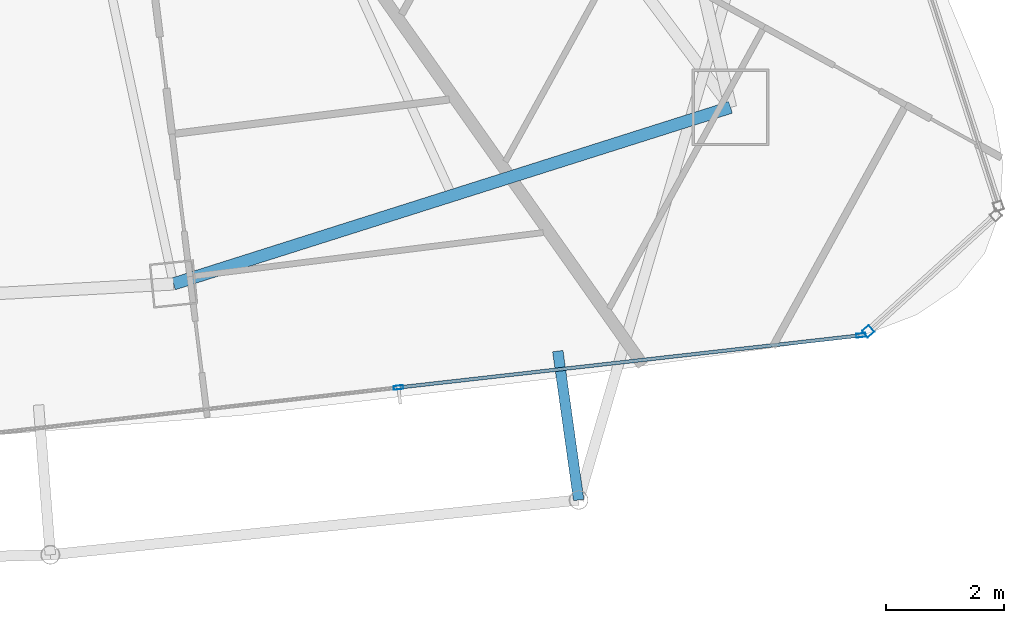
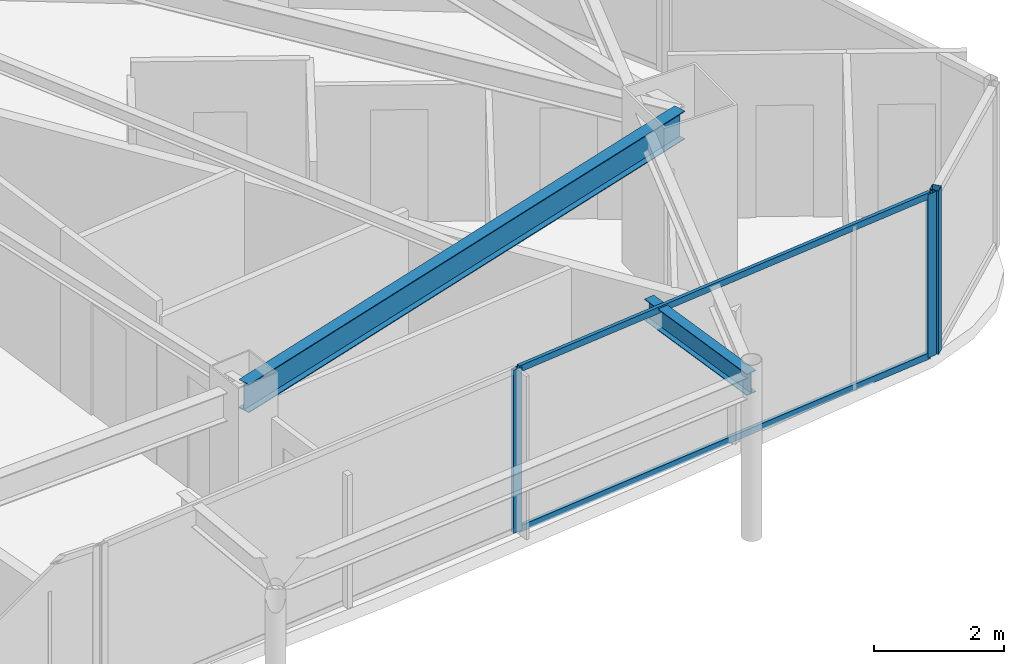
# One storey, part 15 of 33: 5 members, 2 beams, 2 elements without a shape of their own.
"""IFC4 building model written with IfcOpenShell, lengths in metres."""

import ifcopenshell
import ifcopenshell.guid

model = None  # the IFC model being written
_history = None  # IfcOwnerHistory: only IFC2X3 demands one
_inside = {}  # id of a spatial element -> (the spatial element, [elements in it])
_under = {}  # id of a project, library or spatial element -> (it, [spatial elements below it])
_declared = {}  # id of a project -> (the project, [libraries it declares])
_typed = {}  # id of a type object -> (the type object, [elements of that type])
_made_of = {}  # id of a material, layer set ... -> (it, [elements and type objects made of it])


def new_model(schema):
    """Start an empty IFC model of exactly this schema.

    Asked for "IFC4X3", IfcOpenShell would pick the latest addendum, in which some entities
    have other attributes; the version numbers below select the first issue.
    IFC2X3 requires an IfcOwnerHistory on every rooted entity: one is made here for all.
    """
    global model, _history
    if schema == "IFC4X3":
        model = ifcopenshell.file(schema_version=(4, 3, 0, 0))
    else:
        model = ifcopenshell.file(schema=schema)
    _inside.clear()
    _under.clear()
    _declared.clear()
    _typed.clear()
    _made_of.clear()
    _history = None
    if model.schema == "IFC2X3":
        org = make("IfcOrganization", Name="unknown")
        user = make(
            "IfcPersonAndOrganization",
            ThePerson=make("IfcPerson", FamilyName="unknown"),
            TheOrganization=org,
        )
        app = make(
            "IfcApplication",
            ApplicationDeveloper=org,
            Version="unknown",
            ApplicationFullName="unknown",
            ApplicationIdentifier="unknown",
        )
        _history = make(
            "IfcOwnerHistory",
            OwningUser=user,
            OwningApplication=app,
            ChangeAction="ADDED",
            CreationDate=0,
        )
    return model


def make(cls, **values):
    """One entity of the class cls with the attributes given. An attribute that is None is left unset."""
    return model.create_entity(
        cls, **{name: value for name, value in values.items() if value is not None}
    )


def rooted(cls, **values):
    """An entity with a GlobalId (a new one), such as an element, a storey or a relation."""
    return make(cls, GlobalId=ifcopenshell.guid.new(), OwnerHistory=_history, **values)


def si_unit(unit_type, name, prefix=None):
    """IfcSIUnit, for example si_unit("LENGTHUNIT", "METRE", prefix="MILLI")."""
    return make("IfcSIUnit", UnitType=unit_type, Prefix=prefix, Name=name)


def assignment(units):
    """IfcUnitAssignment: the units of a project."""
    return None if units is None else make("IfcUnitAssignment", Units=units)


def point(xyz):
    """IfcCartesianPoint."""
    return None if xyz is None else make("IfcCartesianPoint", Coordinates=xyz)


def direction(xyz):
    """IfcDirection."""
    return None if xyz is None else make("IfcDirection", DirectionRatios=xyz)


def frame(location, z_axis=None, x_axis=None):
    """IfcAxis2Placement3D, a coordinate frame: its origin and axes. An axis left out is left unset."""
    return make(
        "IfcAxis2Placement3D",
        Location=point(location),
        Axis=direction(z_axis),
        RefDirection=direction(x_axis),
    )


def frame_2d(location, x_axis=None):
    """IfcAxis2Placement2D, a coordinate frame in the plane: its origin and x axis."""
    return make(
        "IfcAxis2Placement2D", Location=point(location), RefDirection=direction(x_axis)
    )


def origin():
    """The frame at (0, 0, 0) with its axes left unset."""
    return frame((0.0, 0.0, 0.0))


def origin_2d():
    """The frame at (0, 0) in the plane with its x axis left unset."""
    return frame_2d((0.0, 0.0))


def place(relative_to, where):
    """IfcLocalPlacement: puts the frame where relative to a parent placement (None: the world)."""
    return make(
        "IfcLocalPlacement", PlacementRelTo=relative_to, RelativePlacement=where
    )


def context(
    kind, dimensions, precision=None, world=None, true_north=None, identifier=None
):
    """IfcGeometricRepresentationContext, for example the 3D "Model" context."""
    return make(
        "IfcGeometricRepresentationContext",
        ContextIdentifier=identifier,
        ContextType=kind,
        CoordinateSpaceDimension=dimensions,
        Precision=precision,
        WorldCoordinateSystem=world,
        TrueNorth=true_north,
    )


def subcontext(parent, identifier, kind, view, scale=None):
    """IfcGeometricRepresentationSubContext, for example "Body" below "Model"."""
    return make(
        "IfcGeometricRepresentationSubContext",
        ContextIdentifier=identifier,
        ContextType=kind,
        ParentContext=parent,
        TargetScale=scale,
        TargetView=view,
    )


def project(units=None, contexts=None):
    """IfcProject with its units and contexts."""
    return rooted(
        "IfcProject",
        Name="project",
        RepresentationContexts=contexts,
        UnitsInContext=assignment(units),
    )


def spatial(cls, under=None, at=None, **own):
    """A site, building, storey or space (cls), placed at a placement, below another one or the project."""
    s = rooted(cls, ObjectPlacement=at, **own)
    if under is not None:
        _under.setdefault(under.id(), (under, []))[1].append(s)
    return s


def profile(cls, at=None, kind="AREA", **sizes):
    """A parametric profile (cls). Its sizes go by their IFC names, for example OverallWidth=200.0."""
    return make(cls, ProfileType=kind, Position=at, **sizes)


def hollow_rectangle(**sizes):
    """IfcRectangleHollowProfileDef."""
    return profile("IfcRectangleHollowProfileDef", **sizes)


def i_section(**sizes):
    """IfcIShapeProfileDef."""
    return profile("IfcIShapeProfileDef", **sizes)


def extrude(swept, where, along, depth):
    """IfcExtrudedAreaSolid: the profile swept, set in the frame where, extruded along a direction by depth."""
    return make(
        "IfcExtrudedAreaSolid",
        SweptArea=swept,
        Position=where,
        ExtrudedDirection=direction(along),
        Depth=depth,
    )


def shape(context_of_items, identifier, shape_type, items):
    """IfcShapeRepresentation: the items that make up one representation, for example the "Body"."""
    return make(
        "IfcShapeRepresentation",
        ContextOfItems=context_of_items,
        RepresentationIdentifier=identifier,
        RepresentationType=shape_type,
        Items=items,
    )


def material(Name=None, Category=None):
    """IfcMaterial."""
    return make("IfcMaterial", Name=Name, Category=Category)


def layer(
    of_material, thickness, ventilated=None, Name=None, Category=None, Priority=None
):
    """IfcMaterialLayer: one layer of a wall or slab, of a material (None: an air gap)."""
    return make(
        "IfcMaterialLayer",
        Material=of_material,
        LayerThickness=thickness,
        IsVentilated=ventilated,
        Name=Name,
        Category=Category,
        Priority=Priority,
    )


def layer_set(layers, Name=None):
    """IfcMaterialLayerSet."""
    return make("IfcMaterialLayerSet", MaterialLayers=layers, LayerSetName=Name)


def material_profile(
    of_material, cross_section, Name=None, Category=None, Priority=None
):
    """IfcMaterialProfile: a cross section and its material."""
    return make(
        "IfcMaterialProfile",
        Name=Name,
        Material=of_material,
        Profile=cross_section,
        Priority=Priority,
        Category=Category,
    )


def profile_set(profiles, Name=None, composite=None):
    """IfcMaterialProfileSet."""
    return make(
        "IfcMaterialProfileSet",
        Name=Name,
        MaterialProfiles=profiles,
        CompositeProfile=composite,
    )


def made_of(thing, what):
    """Note that an element or type object is made of a material, layer set ...; save() writes the relation."""
    if what is not None:
        _made_of.setdefault(what.id(), (what, []))[1].append(thing)
    return thing


def type_object(cls, material=None, **own):
    """A type object (cls), such as IfcWallType, which elements share."""
    return made_of(rooted(cls, **own), material)


def element(
    cls,
    number,
    at=None,
    inside=None,
    cuts=None,
    type_object=None,
    material=None,
    context=None,
    identifier="Body",
    shape_type=None,
    held_by="IfcProductDefinitionShape",
    body=None,
    shapes=None,
    **own,
):
    """One element of the class cls, such as IfcWall. Its Tag is "e" and its number.

    at: its placement. inside: the storey or other place that contains it. cuts: it is an
    opening in that element (IfcRelVoidsElement). A single representation is given by context,
    identifier, shape_type and body (its items); several are given by shapes. held_by: the class
    of the entity that holds the representations. save() writes the other relations.
    """
    e = rooted(cls, Tag="e%d" % number, ObjectPlacement=at, **own)
    if body is not None:
        shapes = [shape(context, identifier, shape_type, body)]
    if shapes is not None:
        e.Representation = make(held_by, Representations=shapes)
    if inside is not None:
        _inside.setdefault(inside.id(), (inside, []))[1].append(e)
    if cuts is not None:
        rooted(
            "IfcRelVoidsElement", RelatingBuildingElement=cuts, RelatedOpeningElement=e
        )
    if type_object is not None:
        _typed.setdefault(type_object.id(), (type_object, []))[1].append(e)
    return made_of(e, material)


def aggregate(whole, parts):
    """IfcRelAggregates: a whole, such as a stair, and the parts it consists of."""
    return rooted("IfcRelAggregates", RelatingObject=whole, RelatedObjects=parts)


def save(model, path):
    """Write the relations noted so far, then the file.

    IfcRelAggregates (storeys below a building ...), IfcRelContainedInSpatialStructure (elements
    in a storey), IfcRelDefinesByType, IfcRelAssociatesMaterial and IfcRelDeclares: one each for
    every whole, place, type object, material and project.
    """
    for whole, parts in _under.values():
        aggregate(whole, parts)
    for where, things in _inside.values():
        rooted(
            "IfcRelContainedInSpatialStructure",
            RelatedElements=things,
            RelatingStructure=where,
        )
    for kind, things in _typed.values():
        rooted("IfcRelDefinesByType", RelatedObjects=things, RelatingType=kind)
    for what, things in _made_of.values():
        rooted("IfcRelAssociatesMaterial", RelatedObjects=things, RelatingMaterial=what)
    for by, libraries in _declared.values():
        rooted("IfcRelDeclares", RelatingContext=by, RelatedDefinitions=libraries)
    model.write(path)


model = new_model("IFC4")

# Units and contexts
model_context = context("Model", 3, precision=1e-05, world=origin(), true_north=direction((0.0, 1.0)))
body_context = subcontext(model_context, "Body", "Model", "MODEL_VIEW")
ifc_project = project(units=[si_unit("LENGTHUNIT", "METRE"), si_unit("AREAUNIT", "SQUARE_METRE"), si_unit("VOLUMEUNIT", "CUBIC_METRE"), si_unit("PLANEANGLEUNIT", "RADIAN"), si_unit("MASSUNIT", "GRAM", prefix="KILO")], contexts=[model_context])

# Site, building, storey
site_placement = place(None, origin())
site = spatial("IfcSite", under=ifc_project, at=site_placement, CompositionType="ELEMENT")
building_placement = place(site_placement, origin())
building = spatial("IfcBuilding", under=site, at=building_placement, Name="Orvanel Arch Residences", CompositionType="ELEMENT")
storey_placement = place(building_placement, frame((0.0, 0.0, 209.60009765625)))
storey = spatial("IfcBuildingStorey", under=building, at=storey_placement, Name="L59", CompositionType="ELEMENT", Elevation=209.60009765625)

# Curtain wall, member
ifc_material_1 = material(Name="Bronze-anodised aluminium AA6063-T6", Category="aluminium")
ifc_layer_1 = layer(ifc_material_1, 0.18994140625)
ifc_layer_set_1 = layer_set([ifc_layer_1], Name="Bronze-anodised aluminium AA6063-T6")
curtain_wall_type_1 = type_object("IfcCurtainWallType", Name="CW5-CRN-SYS", PredefinedType="NOTDEFINED", material=ifc_layer_set_1)
curtain_wall_1_placement = place(storey_placement, origin())
curtain_wall_1 = element("IfcCurtainWall", 1, at=curtain_wall_1_placement, inside=storey, type_object=curtain_wall_type_1, Name="L59 CW5-CRN-SYS Unitised Curtain Wall", PredefinedType="NOTDEFINED")
ifc_material_profile_1 = material_profile(ifc_material_1, hollow_rectangle(XDim=0.14990234375, YDim=0.14990234375, WallThickness=0.0048828125, at=origin_2d()), Name="ALU150x150x5")
ifc_profile_set_1 = profile_set([ifc_material_profile_1], Name="Bronze-anodised aluminium AA6063-T6")
member_type_1 = type_object("IfcMemberType", Name="MUL-150x150", PredefinedType="MULLION", material=ifc_profile_set_1)
member_1_placement = place(storey_placement, frame((54.138427734375, 6.551513671875, 0.0), z_axis=(0.0, 0.0, 1.0), x_axis=(-0.672511070676, 0.740087062323, 0.0)))
member_1 = element("IfcMember", 2, at=member_1_placement, type_object=member_type_1, Name="CW-S5 mullion 1", PredefinedType="MULLION", context=body_context, shape_type="SweptSolid", body=[
    extrude(hollow_rectangle(XDim=0.14990234375, YDim=0.14990234375, WallThickness=0.0048828125, at=origin_2d()), origin(), (0.0, 0.0, 1.0), 3.059814453125),
])
aggregate(curtain_wall_1, [member_1])

# Curtain wall, members
ifc_layer_2 = layer(ifc_material_1, 0.175048828125)
ifc_layer_set_2 = layer_set([ifc_layer_2], Name="Bronze-anodised aluminium AA6063-T6")
curtain_wall_type_2 = type_object("IfcCurtainWallType", Name="CW4-HI-SYS", PredefinedType="NOTDEFINED", material=ifc_layer_set_2)
curtain_wall_2_placement = place(storey_placement, origin())
curtain_wall_2 = element("IfcCurtainWall", 3, at=curtain_wall_2_placement, inside=storey, type_object=curtain_wall_type_2, Name="L59 CW4-HI-SYS Unitised Curtain Wall", PredefinedType="NOTDEFINED")
ifc_material_profile_2 = material_profile(ifc_material_1, hollow_rectangle(XDim=0.06494140625, YDim=0.159912109375, WallThickness=0.00390625, at=origin_2d()), Name="ALU160x65x4")
ifc_profile_set_2 = profile_set([ifc_material_profile_2], Name="Bronze-anodised aluminium AA6063-T6")
member_type_2 = type_object("IfcMemberType", Name="MUL-160x65", PredefinedType="MULLION", material=ifc_profile_set_2)
member_2_placement = place(storey_placement, frame((46.16748046875, 5.597412109375, 0.0), z_axis=(0.0, 0.0, 1.0), x_axis=(-0.11203680669, 0.993704057528, 0.0)))
member_2 = element("IfcMember", 4, at=member_2_placement, type_object=member_type_2, Name="CW-S4 mullion 2", PredefinedType="MULLION", context=body_context, shape_type="SweptSolid", body=[
    extrude(hollow_rectangle(XDim=0.06494140625, YDim=0.159912109375, WallThickness=0.00390625, at=origin_2d()), origin(), (0.0, 0.0, 1.0), 3.059814453125),
])
member_3_placement = place(storey_placement, frame((54.015625, 6.482421875, 0.0), z_axis=(0.0, 0.0, 1.0), x_axis=(-0.11203680669, 0.993704057528, 0.0)))
member_3 = element("IfcMember", 5, at=member_3_placement, type_object=member_type_2, Name="CW-S4 mullion 3", PredefinedType="MULLION", context=body_context, shape_type="SweptSolid", body=[
    extrude(hollow_rectangle(XDim=0.06494140625, YDim=0.159912109375, WallThickness=0.00390625, at=origin_2d()), origin(), (0.0, 0.0, 1.0), 3.059814453125),
])

# Beams
ifc_material_2 = material(Name="Structural steel AS/NZS 3679.1 Grade 300 (300 MPa)", Category="steel")
ifc_material_profile_3 = material_profile(ifc_material_2, i_section(OverallWidth=0.177978515625, OverallDepth=0.406005859375, WebThickness=0.0078125, FlangeThickness=0.0126953125, at=origin_2d()), Name="410UB59.7")
ifc_profile_set_3 = profile_set([ifc_material_profile_3], Name="Structural steel AS/NZS 3679.1 Grade 300 (300 MPa)")
beam_type_1 = type_object("IfcBeamType", Name="OB-410UB-EXT", PredefinedType="SPANDREL", material=ifc_profile_set_3)
beam_1_placement = place(storey_placement, frame((48.87109375, 6.215087890625, 2.85693359375), z_axis=(0.13878114046, -0.990323076098, 0.0), x_axis=(0.990323076098, 0.13878114046, 0.0)))
element("IfcBeam", 6, at=beam_1_placement, inside=storey, type_object=beam_type_1, Name="L59 Outer Frame Radial Tie Beam 08", PredefinedType="SPANDREL", context=body_context, shape_type="SweptSolid", body=[
    extrude(i_section(OverallWidth=0.177978515625, OverallDepth=0.406005859375, WebThickness=0.0078125, FlangeThickness=0.0126953125, at=origin_2d()), origin(), (0.0, 0.0, 1.0), 2.55078125),
])
ifc_material_profile_4 = material_profile(ifc_material_2, i_section(OverallWidth=0.208984375, OverallDepth=0.532958984375, WebThickness=0.01025390625, FlangeThickness=0.015625, at=origin_2d()), Name="530UB92.4")
ifc_profile_set_4 = profile_set([ifc_material_profile_4], Name="Structural steel AS/NZS 3679.1 Grade 300 (300 MPa)")
beam_type_2 = type_object("IfcBeamType", Name="SP-530UB", PredefinedType="SPANDREL", material=ifc_profile_set_4)
beam_2_placement = place(storey_placement, frame((42.35107421875, 7.35498046875, 2.79296875), z_axis=(0.953237386592, 0.302222574941, 0.0), x_axis=(-0.302222574941, 0.953237386592, 0.0)))
element("IfcBeam", 7, at=beam_2_placement, inside=storey, type_object=beam_type_2, Name="L59 Perimeter Spandrel Beam 05", PredefinedType="SPANDREL", context=body_context, shape_type="SweptSolid", body=[
    extrude(i_section(OverallWidth=0.208984375, OverallDepth=0.532958984375, WebThickness=0.01025390625, FlangeThickness=0.015625, at=origin_2d()), origin(), (0.0, 0.0, 1.0), 9.91357421875),
])

# Member
ifc_material_profile_5 = material_profile(ifc_material_1, hollow_rectangle(XDim=0.06005859375, YDim=0.1201171875, WallThickness=0.00341796875, at=origin_2d()), Name="ALU120x60x3.5")
ifc_profile_set_5 = profile_set([ifc_material_profile_5], Name="Bronze-anodised aluminium AA6063-T6")
member_type_3 = type_object("IfcMemberType", Name="TRN-120x60", PredefinedType="USERDEFINED", material=ifc_profile_set_5)
member_4_placement = place(storey_placement, frame((46.19970703125, 5.60107421875, 0.02978515625), z_axis=(0.993702630569, 0.112049462295, 0.0), x_axis=(-0.112049462295, 0.993702630569, 0.0)))
member_4 = element("IfcMember", 8, at=member_4_placement, type_object=member_type_3, Name="CW-S4 transom 2.1", ObjectType="TRANSOM", PredefinedType="USERDEFINED", context=body_context, shape_type="SweptSolid", body=[
    extrude(hollow_rectangle(XDim=0.06005859375, YDim=0.1201171875, WallThickness=0.00341796875, at=origin_2d()), origin(), (0.0, 0.0, 1.0), 7.8330078125),
])

member_5_placement = place(storey_placement, frame((46.19970703125, 5.60107421875, 3.02978515625), z_axis=(0.993702630569, 0.112049462295, 0.0), x_axis=(-0.112049462295, 0.993702630569, 0.0)))
member_5 = element("IfcMember", 9, at=member_5_placement, type_object=member_type_3, Name="CW-S4 transom 2.2", ObjectType="TRANSOM", PredefinedType="USERDEFINED", context=body_context, shape_type="SweptSolid", body=[
    extrude(hollow_rectangle(XDim=0.06005859375, YDim=0.1201171875, WallThickness=0.00341796875, at=origin_2d()), origin(), (0.0, 0.0, 1.0), 7.8330078125),
])

aggregate(curtain_wall_2, [member_2, member_3, member_4, member_5])

save(model, "model.ifc")
